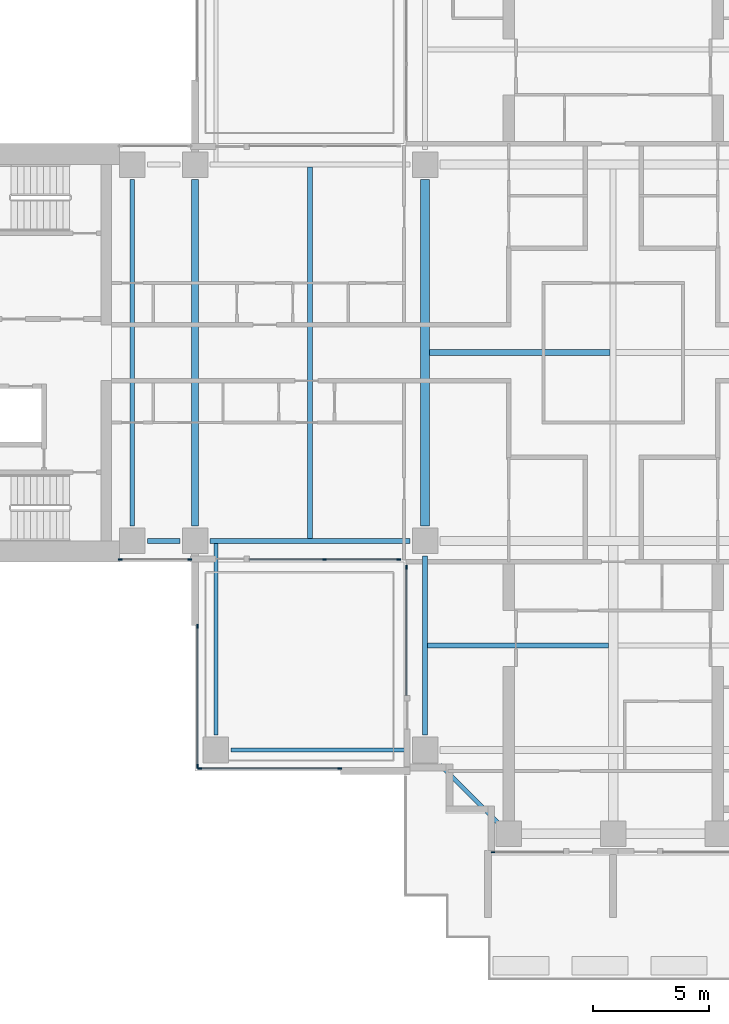
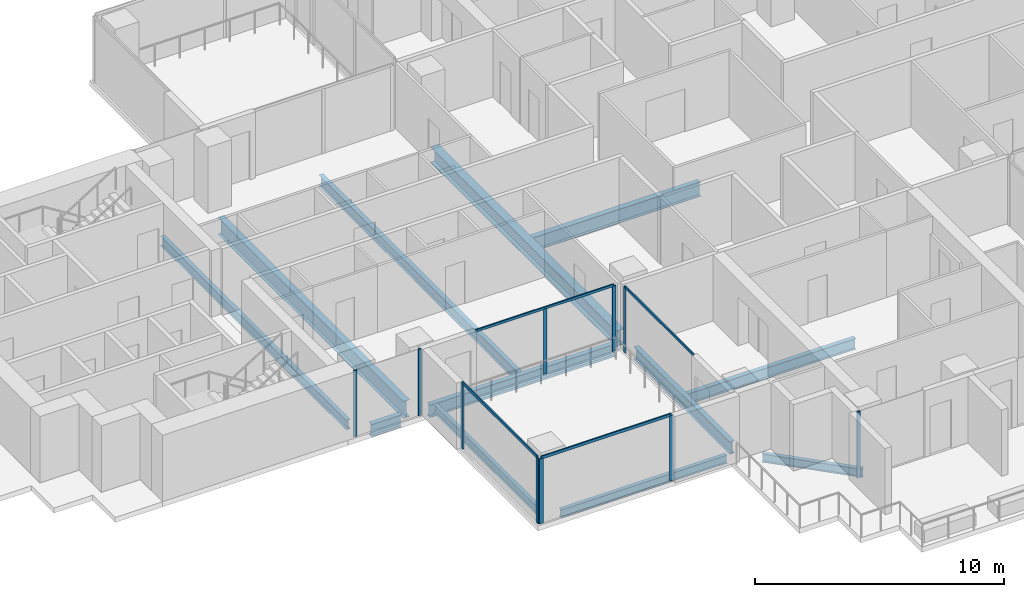
# One storey, part 2 of 20: 14 members, 12 beams, 6 elements without a shape of their own.
"""IFC4 building model written with IfcOpenShell, lengths in metres."""

from ifc_helpers import new_model, si_unit, direction, frame, origin, origin_2d, place, context, subcontext, project, spatial, rectangle, i_section, extrude, material, material_profile, profile_set, type_object, element, aggregate, save


model = new_model("IFC4")

# Units and contexts
model_context = context("Model", 3, precision=1e-05, world=origin(), true_north=direction((0.0, 1.0)))
body_context = subcontext(model_context, "Body", "Model", "MODEL_VIEW")
ifc_project = project(units=[si_unit("LENGTHUNIT", "METRE"), si_unit("AREAUNIT", "SQUARE_METRE"), si_unit("VOLUMEUNIT", "CUBIC_METRE"), si_unit("PLANEANGLEUNIT", "RADIAN"), si_unit("MASSUNIT", "GRAM", prefix="KILO")], contexts=[model_context])

# Site, building, storey
site_placement = place(None, origin())
site = spatial("IfcSite", under=ifc_project, at=site_placement, CompositionType="ELEMENT")
building_placement = place(site_placement, origin())
building = spatial("IfcBuilding", under=site, at=building_placement, Name="Perihelion Cross Residences", CompositionType="ELEMENT")
storey_placement = place(building_placement, frame((0.0, 0.0, 102.39990234375)))
storey = spatial("IfcBuildingStorey", under=building, at=storey_placement, Name="L23", CompositionType="ELEMENT", Elevation=102.39990234375)

# Curtain wall, members
ifc_material_1 = material(Name="Bronze anodised aluminium, tinted glazing", Category="aluminium")
curtain_wall_type_1 = type_object("IfcCurtainWallType", Name="CW1", PredefinedType="NOTDEFINED", material=ifc_material_1)
curtain_wall_1_placement = place(storey_placement, origin())
curtain_wall_1 = element("IfcCurtainWall", 1, at=curtain_wall_1_placement, inside=storey, type_object=curtain_wall_type_1, Name="Curtain wall CW1 L23 west side south bay 1", PredefinedType="NOTDEFINED")
ifc_material_2 = material(Name="Bronze anodised aluminium", Category="aluminium")
ifc_material_profile_1 = material_profile(ifc_material_2, rectangle(XDim=0.06005859375, YDim=0.159912109375, at=origin_2d()), Name="CW1 mullion")
ifc_profile_set_1 = profile_set([ifc_material_profile_1], Name="Bronze anodised aluminium")
member_type_1 = type_object("IfcMemberType", Name="CW1 mullion", PredefinedType="MULLION", material=ifc_profile_set_1)
member_1_placement = place(storey_placement, frame((-21.219970703125, -8.89990234375, 0.0), z_axis=(0.0, 0.0, 1.0), x_axis=(0.0, 1.0, 0.0)))
member_1 = element("IfcMember", 2, at=member_1_placement, type_object=member_type_1, Name="CW1 mullion 1", PredefinedType="MULLION", context=body_context, shape_type="SweptSolid", body=[
    extrude(rectangle(XDim=0.06005859375, YDim=0.159912109375, at=origin_2d()), origin(), (0.0, 0.0, 1.0), 3.25),
])
member_2_placement = place(storey_placement, frame((-18.22998046875, -8.89990234375, 0.0), z_axis=(0.0, 0.0, 1.0), x_axis=(0.0, 1.0, 0.0)))
member_2 = element("IfcMember", 3, at=member_2_placement, type_object=member_type_1, Name="CW1 mullion 2", PredefinedType="MULLION", context=body_context, shape_type="SweptSolid", body=[
    extrude(rectangle(XDim=0.06005859375, YDim=0.159912109375, at=origin_2d()), origin(), (0.0, 0.0, 1.0), 3.25),
])
aggregate(curtain_wall_1, [member_1, member_2])

curtain_wall_2_placement = place(storey_placement, origin())
curtain_wall_2 = element("IfcCurtainWall", 4, at=curtain_wall_2_placement, inside=storey, type_object=curtain_wall_type_1, Name="Curtain wall CW1 L23 west side south bay 2", PredefinedType="NOTDEFINED")
member_3_placement = place(storey_placement, frame((-12.425048828125, -8.89990234375, 0.0), z_axis=(0.0, 0.0, 1.0), x_axis=(0.0, 1.0, 0.0)))
member_3 = element("IfcMember", 5, at=member_3_placement, type_object=member_type_1, Name="CW1 mullion 2", PredefinedType="MULLION", context=body_context, shape_type="SweptSolid", body=[
    extrude(rectangle(XDim=0.06005859375, YDim=0.159912109375, at=origin_2d()), origin(), (0.0, 0.0, 1.0), 3.190185546875),
])
member_4_placement = place(storey_placement, frame((-9.22998046875, -8.89990234375, 0.0), z_axis=(0.0, 0.0, 1.0), x_axis=(0.0, 1.0, 0.0)))
member_4 = element("IfcMember", 6, at=member_4_placement, type_object=member_type_1, Name="CW1 mullion 3", PredefinedType="MULLION", context=body_context, shape_type="SweptSolid", body=[
    extrude(rectangle(XDim=0.06005859375, YDim=0.159912109375, at=origin_2d()), origin(), (0.0, 0.0, 1.0), 3.190185546875),
])

# Curtain wall, member
curtain_wall_3_placement = place(storey_placement, origin())
curtain_wall_3 = element("IfcCurtainWall", 7, at=curtain_wall_3_placement, inside=storey, type_object=curtain_wall_type_1, Name="Curtain wall CW1 L23 south side west bay 1", PredefinedType="NOTDEFINED")
member_5_placement = place(storey_placement, frame((-8.89990234375, -9.22998046875, 0.0), z_axis=(0.0, 0.0, 1.0), x_axis=(1.0, 0.0, 0.0)))
member_5 = element("IfcMember", 8, at=member_5_placement, type_object=member_type_1, Name="CW1 mullion 1", PredefinedType="MULLION", context=body_context, shape_type="SweptSolid", body=[
    extrude(rectangle(XDim=0.06005859375, YDim=0.159912109375, at=origin_2d()), origin(), (0.0, 0.0, 1.0), 3.190185546875),
])

curtain_wall_4_placement = place(storey_placement, origin())
curtain_wall_4 = element("IfcCurtainWall", 9, at=curtain_wall_4_placement, inside=storey, type_object=curtain_wall_type_1, Name="Curtain wall CW1 L23 south tip south bay 1", PredefinedType="NOTDEFINED")
member_6_placement = place(storey_placement, frame((-5.169921875, -21.5, 0.0), z_axis=(0.0, 0.0, 1.0), x_axis=(0.0, 1.0, 0.0)))
member_6 = element("IfcMember", 10, at=member_6_placement, type_object=member_type_1, Name="CW1 mullion 1", PredefinedType="MULLION", context=body_context, shape_type="SweptSolid", body=[
    extrude(rectangle(XDim=0.06005859375, YDim=0.159912109375, at=origin_2d()), origin(), (0.0, 0.0, 1.0), 3.25),
])
aggregate(curtain_wall_4, [member_6])

# Member
ifc_material_3 = material(Name="Bronze anodised aluminium", Category="aluminium")
ifc_material_profile_2 = material_profile(ifc_material_3, rectangle(XDim=0.06005859375, YDim=0.1201171875, at=origin_2d()), Name="CW1 transom")
ifc_profile_set_2 = profile_set([ifc_material_profile_2], Name="Bronze anodised aluminium")
member_type_2 = type_object("IfcMemberType", Name="CW1 transom", PredefinedType="USERDEFINED", material=ifc_profile_set_2)
member_7_placement = place(storey_placement, frame((-15.64990234375, -8.89990234375, 3.22021484375), z_axis=(1.0, 0.0, 0.0), x_axis=(0.0, 1.0, 0.0)))
member_7 = element("IfcMember", 11, at=member_7_placement, type_object=member_type_2, Name="CW1 head transom", ObjectType="TRANSOM", PredefinedType="USERDEFINED", context=body_context, shape_type="SweptSolid", body=[
    extrude(rectangle(XDim=0.06005859375, YDim=0.1201171875, at=origin_2d()), origin(), (0.0, 0.0, 1.0), 6.419921875),
])

aggregate(curtain_wall_2, [member_3, member_4, member_7])

member_8_placement = place(storey_placement, frame((-8.89990234375, -9.22998046875, 3.22021484375), z_axis=(0.0, -1.0, 0.0), x_axis=(1.0, 0.0, 0.0)))
member_8 = element("IfcMember", 12, at=member_8_placement, type_object=member_type_2, Name="CW1 head transom", ObjectType="TRANSOM", PredefinedType="USERDEFINED", context=body_context, shape_type="SweptSolid", body=[
    extrude(rectangle(XDim=0.06005859375, YDim=0.1201171875, at=origin_2d()), origin(), (0.0, 0.0, 1.0), 5.52001953125),
])

aggregate(curtain_wall_3, [member_5, member_8])

# Curtain wall, members
ifc_material_4 = material(Name="Bronze anodised aluminium, tinted glazing", Category="aluminium")
curtain_wall_type_2 = type_object("IfcCurtainWallType", Name="CW4", PredefinedType="NOTDEFINED", material=ifc_material_4)
curtain_wall_5_placement = place(storey_placement, origin())
curtain_wall_5 = element("IfcCurtainWall", 13, at=curtain_wall_5_placement, inside=storey, type_object=curtain_wall_type_2, Name="Curtain wall CW4 L23 pocket south-west 1 1", PredefinedType="NOTDEFINED")
ifc_material_5 = material(Name="Bronze anodised aluminium", Category="aluminium")
ifc_material_profile_3 = material_profile(ifc_material_5, rectangle(XDim=0.06005859375, YDim=0.179931640625, at=origin_2d()), Name="CW4 mullion")
ifc_profile_set_3 = profile_set([ifc_material_profile_3], Name="Bronze anodised aluminium")
member_type_3 = type_object("IfcMemberType", Name="CW4 mullion", PredefinedType="MULLION", material=ifc_profile_set_3)
member_9_placement = place(storey_placement, frame((-11.77001953125, -17.89990234375, 0.0), z_axis=(0.0, 0.0, 1.0), x_axis=(0.0, -1.0, 0.0)))
member_9 = element("IfcMember", 14, at=member_9_placement, type_object=member_type_3, Name="CW4 mullion 1", PredefinedType="MULLION", context=body_context, shape_type="SweptSolid", body=[
    extrude(rectangle(XDim=0.06005859375, YDim=0.179931640625, at=origin_2d()), origin(), (0.0, 0.0, 1.0), 3.190185546875),
])
member_10_placement = place(storey_placement, frame((-17.800048828125, -17.89990234375, 0.0), z_axis=(0.0, 0.0, 1.0), x_axis=(0.0, -1.0, 0.0)))
member_10 = element("IfcMember", 15, at=member_10_placement, type_object=member_type_3, Name="CW4 mullion 2", PredefinedType="MULLION", context=body_context, shape_type="SweptSolid", body=[
    extrude(rectangle(XDim=0.06005859375, YDim=0.179931640625, at=origin_2d()), origin(), (0.0, 0.0, 1.0), 3.190185546875),
])

curtain_wall_6_placement = place(storey_placement, origin())
curtain_wall_6 = element("IfcCurtainWall", 16, at=curtain_wall_6_placement, inside=storey, type_object=curtain_wall_type_2, Name="Curtain wall CW4 L23 pocket south-west 1 2", PredefinedType="NOTDEFINED")
member_11_placement = place(storey_placement, frame((-17.89990234375, -17.800048828125, 0.0), z_axis=(0.0, 0.0, 1.0), x_axis=(-1.0, 0.0, 0.0)))
member_11 = element("IfcMember", 17, at=member_11_placement, type_object=member_type_3, Name="CW4 mullion 1", PredefinedType="MULLION", context=body_context, shape_type="SweptSolid", body=[
    extrude(rectangle(XDim=0.06005859375, YDim=0.179931640625, at=origin_2d()), origin(), (0.0, 0.0, 1.0), 3.190185546875),
])
member_12_placement = place(storey_placement, frame((-17.89990234375, -11.77001953125, 0.0), z_axis=(0.0, 0.0, 1.0), x_axis=(-1.0, 0.0, 0.0)))
member_12 = element("IfcMember", 18, at=member_12_placement, type_object=member_type_3, Name="CW4 mullion 2", PredefinedType="MULLION", context=body_context, shape_type="SweptSolid", body=[
    extrude(rectangle(XDim=0.06005859375, YDim=0.179931640625, at=origin_2d()), origin(), (0.0, 0.0, 1.0), 3.190185546875),
])

# Member
ifc_material_6 = material(Name="Bronze anodised aluminium", Category="aluminium")
ifc_material_profile_4 = material_profile(ifc_material_6, rectangle(XDim=0.06005859375, YDim=0.139892578125, at=origin_2d()), Name="CW4 transom")
ifc_profile_set_4 = profile_set([ifc_material_profile_4], Name="Bronze anodised aluminium")
member_type_4 = type_object("IfcMemberType", Name="CW4 transom", PredefinedType="USERDEFINED", material=ifc_profile_set_4)
member_13_placement = place(storey_placement, frame((-11.77001953125, -17.89990234375, 3.22021484375), z_axis=(-1.0, 0.0, 0.0), x_axis=(0.0, -1.0, 0.0)))
member_13 = element("IfcMember", 19, at=member_13_placement, type_object=member_type_4, Name="CW4 head transom", ObjectType="TRANSOM", PredefinedType="USERDEFINED", context=body_context, shape_type="SweptSolid", body=[
    extrude(rectangle(XDim=0.06005859375, YDim=0.139892578125, at=origin_2d()), origin(), (0.0, 0.0, 1.0), 6.030029296875),
])

aggregate(curtain_wall_5, [member_9, member_10, member_13])

member_14_placement = place(storey_placement, frame((-17.89990234375, -17.800048828125, 3.22021484375), z_axis=(0.0, 1.0, 0.0), x_axis=(-1.0, 0.0, 0.0)))
member_14 = element("IfcMember", 20, at=member_14_placement, type_object=member_type_4, Name="CW4 head transom", ObjectType="TRANSOM", PredefinedType="USERDEFINED", context=body_context, shape_type="SweptSolid", body=[
    extrude(rectangle(XDim=0.06005859375, YDim=0.139892578125, at=origin_2d()), origin(), (0.0, 0.0, 1.0), 6.030029296875),
])

aggregate(curtain_wall_6, [member_11, member_12, member_14])

# Beams
ifc_material_7 = material(Name="Steel S355", Category="steel")
ifc_material_profile_5 = material_profile(ifc_material_7, i_section(OverallWidth=0.177978515625, OverallDepth=0.406005859375, WebThickness=0.0078125, FlangeThickness=0.0126953125, at=origin_2d()), Name="W410x60")
ifc_profile_set_5 = profile_set([ifc_material_profile_5], Name="Steel S355")
beam_type_1 = type_object("IfcBeamType", Name="Core edge beam W410x60", PredefinedType="BEAM", material=ifc_profile_set_5)
beam_1_placement = place(storey_placement, frame((-17.10009765625, -8.214599609375, -0.452880859375), z_axis=(0.0, -1.0, 0.0), x_axis=(1.0, 0.0, 0.0)))
element("IfcBeam", 21, at=beam_1_placement, inside=storey, type_object=beam_type_1, Name="Core edge beam TB2 L23 corner no. 1", PredefinedType="BEAM", context=body_context, shape_type="SweptSolid", body=[
    extrude(i_section(OverallWidth=0.177978515625, OverallDepth=0.406005859375, WebThickness=0.0078125, FlangeThickness=0.0126953125, at=origin_2d()), origin(), (0.0, 0.0, 1.0), 8.2353515625),
])
beam_2_placement = place(storey_placement, frame((-8.75, -17.10009765625, -0.452880859375), z_axis=(-1.0, 0.0, 0.0), x_axis=(0.0, -1.0, 0.0)))
element("IfcBeam", 22, at=beam_2_placement, inside=storey, type_object=beam_type_1, Name="Core edge beam TB2 L23 corner no. 2", PredefinedType="BEAM", context=body_context, shape_type="SweptSolid", body=[
    extrude(i_section(OverallWidth=0.177978515625, OverallDepth=0.406005859375, WebThickness=0.0078125, FlangeThickness=0.0126953125, at=origin_2d()), origin(), (0.0, 0.0, 1.0), 7.699951171875),
])
ifc_material_8 = material(Name="Steel S355", Category="steel")
ifc_material_profile_6 = material_profile(ifc_material_8, i_section(OverallWidth=0.194091796875, OverallDepth=0.469970703125, WebThickness=0.0126953125, FlangeThickness=0.0205078125, at=origin_2d()), Name="W460x106")
ifc_profile_set_6 = profile_set([ifc_material_profile_6], Name="Steel S355")
beam_type_2 = type_object("IfcBeamType", Name="Core edge beam W460x106", PredefinedType="BEAM", material=ifc_profile_set_6)
beam_3_placement = place(storey_placement, frame((-20.699951171875, -7.449951171875, -0.48486328125), z_axis=(0.0, 1.0, 0.0), x_axis=(-1.0, 0.0, 0.0)))
element("IfcBeam", 23, at=beam_3_placement, inside=storey, type_object=beam_type_2, Name="Core edge beam TB5 L23 no. 1", PredefinedType="BEAM", context=body_context, shape_type="SweptSolid", body=[
    extrude(i_section(OverallWidth=0.194091796875, OverallDepth=0.469970703125, WebThickness=0.0126953125, FlangeThickness=0.0205078125, at=origin_2d()), origin(), (0.0, 0.0, 1.0), 14.89990234375),
])
ifc_material_9 = material(Name="Steel S355", Category="steel")
ifc_material_profile_7 = material_profile(ifc_material_9, i_section(OverallWidth=0.22900390625, OverallDepth=0.612060546875, WebThickness=0.011962890625, FlangeThickness=0.01953125, at=origin_2d()), Name="W610x125")
ifc_profile_set_7 = profile_set([ifc_material_profile_7], Name="Steel S355")
beam_type_3 = type_object("IfcBeamType", Name="Edge beam W610x125", PredefinedType="SPANDREL", material=ifc_profile_set_7)
beam_4_placement = place(storey_placement, frame((-20.050048828125, -8.10009765625, -0.555908203125), z_axis=(1.0, 0.0, 0.0), x_axis=(0.0, 1.0, 0.0)))
element("IfcBeam", 24, at=beam_4_placement, inside=storey, type_object=beam_type_3, Name="Edge beam SB3 L23 no. 3", PredefinedType="SPANDREL", context=body_context, shape_type="SweptSolid", body=[
    extrude(i_section(OverallWidth=0.22900390625, OverallDepth=0.612060546875, WebThickness=0.011962890625, FlangeThickness=0.01953125, at=origin_2d()), origin(), (0.0, 0.0, 1.0), 1.400146484375),
])
beam_5_placement = place(storey_placement, frame((-17.35009765625, -8.10009765625, -0.555908203125), z_axis=(1.0, 0.0, 0.0), x_axis=(0.0, 1.0, 0.0)))
element("IfcBeam", 25, at=beam_5_placement, inside=storey, type_object=beam_type_3, Name="Edge beam SB3 L23 no. 1", PredefinedType="SPANDREL", context=body_context, shape_type="SweptSolid", body=[
    extrude(i_section(OverallWidth=0.22900390625, OverallDepth=0.612060546875, WebThickness=0.011962890625, FlangeThickness=0.01953125, at=origin_2d()), origin(), (0.0, 0.0, 1.0), 8.60009765625),
])
beam_6_placement = place(storey_placement, frame((-8.10009765625, -8.75, -0.555908203125), z_axis=(0.0, -1.0, 0.0), x_axis=(1.0, 0.0, 0.0)))
element("IfcBeam", 26, at=beam_6_placement, inside=storey, type_object=beam_type_3, Name="Edge beam SB3 L23 no. 4", PredefinedType="SPANDREL", context=body_context, shape_type="SweptSolid", body=[
    extrude(i_section(OverallWidth=0.22900390625, OverallDepth=0.612060546875, WebThickness=0.011962890625, FlangeThickness=0.01953125, at=origin_2d()), origin(), (0.0, 0.0, 1.0), 7.699951171875),
])
ifc_material_10 = material(Name="Steel S355", Category="steel")
ifc_material_profile_8 = material_profile(ifc_material_10, i_section(OverallWidth=0.2919921875, OverallDepth=0.8359375, WebThickness=0.013916015625, FlangeThickness=0.018798828125, at=origin_2d()), Name="W840x176")
ifc_profile_set_8 = profile_set([ifc_material_profile_8], Name="Steel S355")
beam_type_4 = type_object("IfcBeamType", Name="Floor girder W840x176", PredefinedType="BEAM", material=ifc_profile_set_8)
beam_7_placement = place(storey_placement, frame((-18.0, -7.449951171875, -0.66796875), z_axis=(0.0, 1.0, 0.0), x_axis=(-1.0, 0.0, 0.0)))
element("IfcBeam", 27, at=beam_7_placement, inside=storey, type_object=beam_type_4, Name="Girder G3 L23 no. 1", PredefinedType="BEAM", context=body_context, shape_type="SweptSolid", body=[
    extrude(i_section(OverallWidth=0.2919921875, OverallDepth=0.8359375, WebThickness=0.013916015625, FlangeThickness=0.018798828125, at=origin_2d()), origin(), (0.0, 0.0, 1.0), 14.89990234375),
])
ifc_material_11 = material(Name="Steel S355", Category="steel")
ifc_material_profile_9 = material_profile(ifc_material_11, i_section(OverallWidth=0.208984375, OverallDepth=0.532958984375, WebThickness=0.01025390625, FlangeThickness=0.015625, at=origin_2d()), Name="W530x92")
ifc_profile_set_9 = profile_set([ifc_material_profile_9], Name="Steel S355")
beam_type_5 = type_object("IfcBeamType", Name="Floor joist W530x92", PredefinedType="JOIST", material=ifc_profile_set_9)
beam_8_placement = place(storey_placement, frame((-7.985595703125, -12.60009765625, -0.516357421875), z_axis=(1.0, 0.0, 0.0), x_axis=(0.0, 1.0, 0.0)))
element("IfcBeam", 28, at=beam_8_placement, inside=storey, type_object=beam_type_5, Name="Joist J4 L23 no. 3", PredefinedType="JOIST", context=body_context, shape_type="SweptSolid", body=[
    extrude(i_section(OverallWidth=0.208984375, OverallDepth=0.532958984375, WebThickness=0.01025390625, FlangeThickness=0.015625, at=origin_2d()), origin(), (0.0, 0.0, 1.0), 7.78515625),
])
beam_9_placement = place(storey_placement, frame((-13.050048828125, -7.985595703125, -0.516357421875), z_axis=(0.0, 1.0, 0.0), x_axis=(-1.0, 0.0, 0.0)))
element("IfcBeam", 29, at=beam_9_placement, inside=storey, type_object=beam_type_5, Name="Joist J4 L23 no. 1", PredefinedType="JOIST", context=body_context, shape_type="SweptSolid", body=[
    extrude(i_section(OverallWidth=0.208984375, OverallDepth=0.532958984375, WebThickness=0.01025390625, FlangeThickness=0.015625, at=origin_2d()), origin(), (0.0, 0.0, 1.0), 15.97119140625),
])
ifc_material_12 = material(Name="Steel S355", Category="steel")
ifc_material_profile_10 = material_profile(ifc_material_12, i_section(OverallWidth=0.257080078125, OverallDepth=0.693115234375, WebThickness=0.014404296875, FlangeThickness=0.023681640625, at=origin_2d()), Name="W690x170")
ifc_profile_set_10 = profile_set([ifc_material_profile_10], Name="Steel S355")
beam_type_6 = type_object("IfcBeamType", Name="Hub cross beam W690x170", PredefinedType="BEAM", material=ifc_profile_set_10)
beam_10_placement = place(storey_placement, frame((-7.909423828125, 0.0, -0.596435546875), z_axis=(1.0, 0.0, 0.0), x_axis=(0.0, 1.0, 0.0)))
element("IfcBeam", 30, at=beam_10_placement, inside=storey, type_object=beam_type_6, Name="Hub cross beam XB3 L23 1 no. 1", PredefinedType="BEAM", context=body_context, shape_type="SweptSolid", body=[
    extrude(i_section(OverallWidth=0.257080078125, OverallDepth=0.693115234375, WebThickness=0.014404296875, FlangeThickness=0.023681640625, at=origin_2d()), origin(), (0.0, 0.0, 1.0), 7.781005859375),
])
ifc_material_13 = material(Name="Steel S355", Category="steel")
ifc_material_profile_11 = material_profile(ifc_material_13, i_section(OverallWidth=0.381103515625, OverallDepth=0.77197265625, WebThickness=0.0166015625, FlangeThickness=0.027099609375, at=origin_2d()), Name="W760x257")
ifc_profile_set_11 = profile_set([ifc_material_profile_11], Name="Steel S355")
beam_type_7 = type_object("IfcBeamType", Name="Hub ring girder W760x257", PredefinedType="BEAM", material=ifc_profile_set_11)
beam_11_placement = place(storey_placement, frame((-8.10009765625, 7.449951171875, -0.635986328125), z_axis=(0.0, -1.0, 0.0), x_axis=(1.0, 0.0, 0.0)))
element("IfcBeam", 31, at=beam_11_placement, inside=storey, type_object=beam_type_7, Name="Hub ring girder RG3 L23 no. 2", PredefinedType="BEAM", context=body_context, shape_type="SweptSolid", body=[
    extrude(i_section(OverallWidth=0.381103515625, OverallDepth=0.77197265625, WebThickness=0.0166015625, FlangeThickness=0.027099609375, at=origin_2d()), origin(), (0.0, 0.0, 1.0), 14.89990234375),
])
ifc_material_14 = material(Name="Steel S355", Category="steel")
ifc_material_profile_12 = material_profile(ifc_material_14, i_section(OverallWidth=0.180908203125, OverallDepth=0.4169921875, WebThickness=0.010986328125, FlangeThickness=0.018310546875, at=origin_2d()), Name="W410x85")
ifc_profile_set_12 = profile_set([ifc_material_profile_12], Name="Steel S355")
beam_type_8 = type_object("IfcBeamType", Name="Serration edge beam W410x85", PredefinedType="BEAM", material=ifc_profile_set_12)
beam_12_placement = place(storey_placement, frame((-7.449951171875, -17.75, -0.45849609375), z_axis=(0.707106781187, -0.707106781187, 0.0), x_axis=(0.707106781187, 0.707106781187, 0.0)))
element("IfcBeam", 32, at=beam_12_placement, inside=storey, type_object=beam_type_8, Name="Serration edge beam EB3 L23 no. 2", PredefinedType="BEAM", context=body_context, shape_type="SweptSolid", body=[
    extrude(i_section(OverallWidth=0.180908203125, OverallDepth=0.4169921875, WebThickness=0.010986328125, FlangeThickness=0.018310546875, at=origin_2d()), origin(), (0.0, 0.0, 1.0), 4.171875),
])

save(model, "model.ifc")
